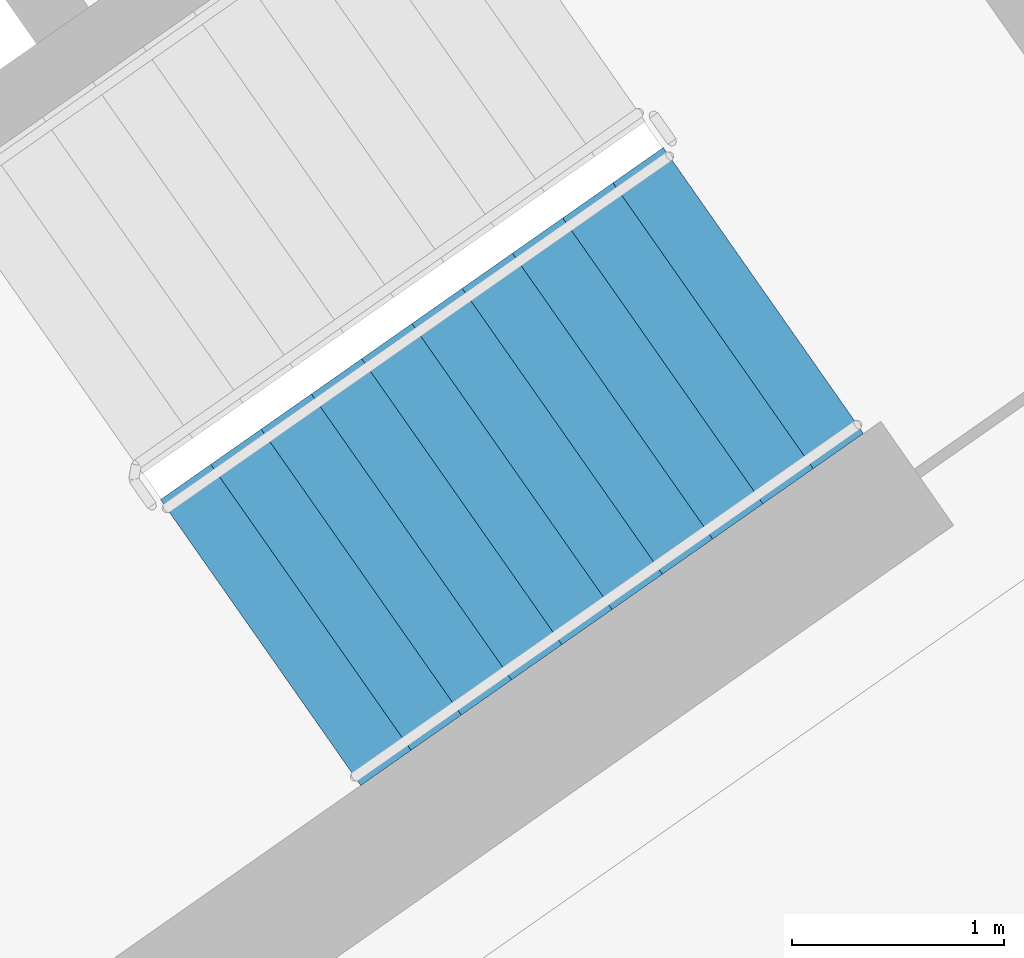
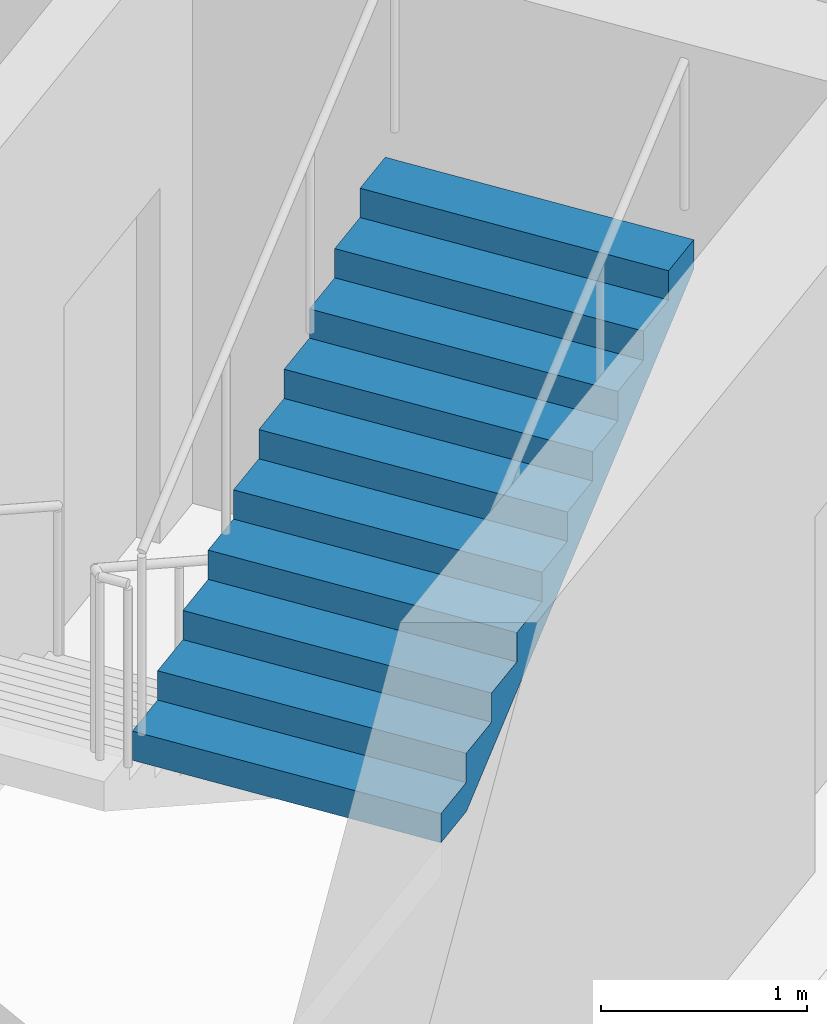
# One storey, part 14 of 28: 1 stair flight, 1 element without a shape of its own.
"""IFC4 building model written with IfcOpenShell, lengths in metres."""

from ifc_helpers import new_model, si_unit, direction, frame, origin, place, context, subcontext, project, spatial, faceted_brep, material, type_object, element, aggregate, save


model = new_model("IFC4")

# Units and contexts
model_context = context("Model", 3, precision=1e-05, world=origin(), true_north=direction((0.0, 1.0)))
body_context = subcontext(model_context, "Body", "Model", "MODEL_VIEW")
ifc_project = project(units=[si_unit("LENGTHUNIT", "METRE"), si_unit("AREAUNIT", "SQUARE_METRE"), si_unit("VOLUMEUNIT", "CUBIC_METRE"), si_unit("PLANEANGLEUNIT", "RADIAN"), si_unit("MASSUNIT", "GRAM", prefix="KILO")], contexts=[model_context])

# Site, building, storey
site_placement = place(None, origin())
site = spatial("IfcSite", under=ifc_project, at=site_placement, CompositionType="ELEMENT")
building_placement = place(site_placement, origin())
building = spatial("IfcBuilding", under=site, at=building_placement, Name="Qamariyya Broadcast Tower", CompositionType="ELEMENT")
storey_placement = place(building_placement, frame((0.0, 0.0, 269.5)))
storey = spatial("IfcBuildingStorey", under=building, at=storey_placement, Name="L65", CompositionType="ELEMENT", Elevation=269.5)

# Stair, stair flight
ifc_material = material(Name="Concrete C50/60", Category="concrete")
stair_type = type_object("IfcStairType", Name="Exit stair 22 risers of 173 mm", PredefinedType="HALF_TURN_STAIR", material=ifc_material)
stair_placement = place(storey_placement, origin())
stair = element("IfcStair", 1, at=stair_placement, inside=storey, type_object=stair_type, Name="L65 Stair E1", PredefinedType="HALF_TURN_STAIR")
stair_flight_type = type_object("IfcStairFlightType", Name="Exit stair flight 11 risers of 173 mm", PredefinedType="STRAIGHT", material=ifc_material)
stair_flight_placement = place(storey_placement, frame((44.693359375, -58.64599609375, 1.89990234375), z_axis=(0.0, 0.0, 1.0), x_axis=(0.819152044289, 0.573576436351, 0.0)))
stair_flight = element("IfcStairFlight", 2, at=stair_flight_placement, type_object=stair_flight_type, Name="ST-E1 flight 2", NumberOfRisers=11, NumberOfTreads=10, PredefinedType="STRAIGHT", RiserHeight=0.172727273, TreadLength=0.29, context=body_context, shape_type="Brep", body=[
    faceted_brep([(0.0, 0.824951171875, 0.0), (0.0, 0.824951171875, 0.172607421875), (0.2900390625, 0.824951171875, 0.172607421875), (0.2900390625, 0.824951171875, 0.345458984375), (0.580078125, 0.824951171875, 0.345458984375), (0.580078125, 0.824951171875, 0.51806640625), (0.8701171875, 0.824951171875, 0.51806640625), (0.8701171875, 0.824951171875, 0.69091796875), (1.159912109375, 0.824951171875, 0.69091796875), (1.159912109375, 0.824951171875, 0.863525390625), (1.449951171875, 0.824951171875, 0.863525390625), (1.449951171875, 0.824951171875, 1.036376953125), (1.739990234375, 0.824951171875, 1.036376953125), (1.739990234375, 0.824951171875, 1.208984375), (2.030029296875, 0.824951171875, 1.208984375), (2.030029296875, 0.824951171875, 1.3818359375), (2.320068359375, 0.824951171875, 1.3818359375), (2.320068359375, 0.824951171875, 1.554443359375), (2.610107421875, 0.824951171875, 1.554443359375), (2.610107421875, 0.824951171875, 1.727294921875), (2.89990234375, 0.824951171875, 1.727294921875), (2.89990234375, 0.824951171875, 1.552734375), (0.29296875, 0.824951171875, 0.0), (0.29296875, -0.824951171875, 0.0), (2.89990234375, -0.824951171875, 1.552734375), (2.89990234375, -0.824951171875, 1.727294921875), (2.610107421875, -0.824951171875, 1.727294921875), (2.610107421875, -0.824951171875, 1.554443359375), (2.320068359375, -0.824951171875, 1.554443359375), (2.320068359375, -0.824951171875, 1.3818359375), (2.030029296875, -0.824951171875, 1.3818359375), (2.030029296875, -0.824951171875, 1.208984375), (1.739990234375, -0.824951171875, 1.208984375), (1.739990234375, -0.824951171875, 1.036376953125), (1.449951171875, -0.824951171875, 1.036376953125), (1.449951171875, -0.824951171875, 0.863525390625), (1.159912109375, -0.824951171875, 0.863525390625), (1.159912109375, -0.824951171875, 0.69091796875), (0.8701171875, -0.824951171875, 0.69091796875), (0.8701171875, -0.824951171875, 0.51806640625), (0.580078125, -0.824951171875, 0.51806640625), (0.580078125, -0.824951171875, 0.345458984375), (0.2900390625, -0.824951171875, 0.345458984375), (0.2900390625, -0.824951171875, 0.172607421875), (0.0, -0.824951171875, 0.172607421875), (0.0, -0.824951171875, 0.0), (0.0, 0.10009765625, 0.0), (0.0, 0.086669921875, 0.0), (0.0, 0.0732421875, 0.0), (0.0, 0.06005859375, 0.0), (0.0, 0.046630859375, 0.0), (0.0, 0.033447265625, 0.0), (0.0, 0.02001953125, 0.0), (0.0, 0.006591796875, 0.0), (0.0, -0.006591796875, 0.0), (0.0, -0.02001953125, 0.0), (0.0, -0.033447265625, 0.0), (0.0, -0.046630859375, 0.0), (0.0, -0.06005859375, 0.0), (0.0, -0.0732421875, 0.0), (0.0, -0.086669921875, 0.0), (0.0, -0.10009765625, 0.0), (0.0, -0.10009765625, 0.172607421875), (0.0, -0.086669921875, 0.172607421875), (0.0, -0.0732421875, 0.172607421875), (0.0, -0.06005859375, 0.172607421875), (0.0, -0.046630859375, 0.172607421875), (0.0, -0.033447265625, 0.172607421875), (0.0, -0.02001953125, 0.172607421875), (0.0, -0.006591796875, 0.172607421875), (0.0, 0.006591796875, 0.172607421875), (0.0, 0.02001953125, 0.172607421875), (0.0, 0.033447265625, 0.172607421875), (0.0, 0.046630859375, 0.172607421875), (0.0, 0.06005859375, 0.172607421875), (0.0, 0.0732421875, 0.172607421875), (0.0, 0.086669921875, 0.172607421875), (0.0, 0.10009765625, 0.172607421875), (0.2900390625, -0.10009765625, 0.172607421875), (0.2900390625, -0.086669921875, 0.172607421875), (0.2900390625, -0.0732421875, 0.172607421875), (0.2900390625, -0.06005859375, 0.172607421875), (0.2900390625, -0.046630859375, 0.172607421875), (0.2900390625, -0.033447265625, 0.172607421875), (0.2900390625, -0.02001953125, 0.172607421875), (0.2900390625, -0.006591796875, 0.172607421875), (0.2900390625, 0.006591796875, 0.172607421875), (0.2900390625, 0.02001953125, 0.172607421875), (0.2900390625, 0.033447265625, 0.172607421875), (0.2900390625, 0.046630859375, 0.172607421875), (0.2900390625, 0.06005859375, 0.172607421875), (0.2900390625, 0.0732421875, 0.172607421875), (0.2900390625, 0.086669921875, 0.172607421875), (0.2900390625, 0.10009765625, 0.172607421875), (0.2900390625, -0.10009765625, 0.345458984375), (0.2900390625, -0.086669921875, 0.345458984375), (0.2900390625, -0.0732421875, 0.345458984375), (0.2900390625, -0.06005859375, 0.345458984375), (0.2900390625, -0.046630859375, 0.345458984375), (0.2900390625, -0.033447265625, 0.345458984375), (0.2900390625, -0.02001953125, 0.345458984375), (0.2900390625, -0.006591796875, 0.345458984375), (0.2900390625, 0.006591796875, 0.345458984375), (0.2900390625, 0.02001953125, 0.345458984375), (0.2900390625, 0.033447265625, 0.345458984375), (0.2900390625, 0.046630859375, 0.345458984375), (0.2900390625, 0.06005859375, 0.345458984375), (0.2900390625, 0.0732421875, 0.345458984375), (0.2900390625, 0.086669921875, 0.345458984375), (0.2900390625, 0.10009765625, 0.345458984375), (0.580078125, -0.10009765625, 0.345458984375), (0.580078125, -0.086669921875, 0.345458984375), (0.580078125, -0.0732421875, 0.345458984375), (0.580078125, -0.06005859375, 0.345458984375), (0.580078125, -0.046630859375, 0.345458984375), (0.580078125, -0.033447265625, 0.345458984375), (0.580078125, -0.02001953125, 0.345458984375), (0.580078125, -0.006591796875, 0.345458984375), (0.580078125, 0.006591796875, 0.345458984375), (0.580078125, 0.02001953125, 0.345458984375), (0.580078125, 0.033447265625, 0.345458984375), (0.580078125, 0.046630859375, 0.345458984375), (0.580078125, 0.06005859375, 0.345458984375), (0.580078125, 0.0732421875, 0.345458984375), (0.580078125, 0.086669921875, 0.345458984375), (0.580078125, 0.10009765625, 0.345458984375), (0.580078125, -0.10009765625, 0.51806640625), (0.580078125, -0.086669921875, 0.51806640625), (0.580078125, -0.0732421875, 0.51806640625), (0.580078125, -0.06005859375, 0.51806640625), (0.580078125, -0.046630859375, 0.51806640625), (0.580078125, -0.033447265625, 0.51806640625), (0.580078125, -0.02001953125, 0.51806640625), (0.580078125, -0.006591796875, 0.51806640625), (0.580078125, 0.006591796875, 0.51806640625), (0.580078125, 0.02001953125, 0.51806640625), (0.580078125, 0.033447265625, 0.51806640625), (0.580078125, 0.046630859375, 0.51806640625), (0.580078125, 0.06005859375, 0.51806640625), (0.580078125, 0.0732421875, 0.51806640625), (0.580078125, 0.086669921875, 0.51806640625), (0.580078125, 0.10009765625, 0.51806640625), (0.8701171875, -0.10009765625, 0.51806640625), (0.8701171875, -0.086669921875, 0.51806640625), (0.8701171875, -0.0732421875, 0.51806640625), (0.8701171875, -0.06005859375, 0.51806640625), (0.8701171875, -0.046630859375, 0.51806640625), (0.8701171875, -0.033447265625, 0.51806640625), (0.8701171875, -0.02001953125, 0.51806640625), (0.8701171875, -0.006591796875, 0.51806640625), (0.8701171875, 0.006591796875, 0.51806640625), (0.8701171875, 0.02001953125, 0.51806640625), (0.8701171875, 0.033447265625, 0.51806640625), (0.8701171875, 0.046630859375, 0.51806640625), (0.8701171875, 0.06005859375, 0.51806640625), (0.8701171875, 0.0732421875, 0.51806640625), (0.8701171875, 0.086669921875, 0.51806640625), (0.8701171875, 0.10009765625, 0.51806640625), (0.8701171875, -0.10009765625, 0.69091796875), (0.8701171875, -0.086669921875, 0.69091796875), (0.8701171875, -0.0732421875, 0.69091796875), (0.8701171875, -0.06005859375, 0.69091796875), (0.8701171875, -0.046630859375, 0.69091796875), (0.8701171875, -0.033447265625, 0.69091796875), (0.8701171875, -0.02001953125, 0.69091796875), (0.8701171875, -0.006591796875, 0.69091796875), (0.8701171875, 0.006591796875, 0.69091796875), (0.8701171875, 0.02001953125, 0.69091796875), (0.8701171875, 0.033447265625, 0.69091796875), (0.8701171875, 0.046630859375, 0.69091796875), (0.8701171875, 0.06005859375, 0.69091796875), (0.8701171875, 0.0732421875, 0.69091796875), (0.8701171875, 0.086669921875, 0.69091796875), (0.8701171875, 0.10009765625, 0.69091796875), (1.159912109375, -0.10009765625, 0.69091796875), (1.159912109375, -0.086669921875, 0.69091796875), (1.159912109375, -0.0732421875, 0.69091796875), (1.159912109375, -0.06005859375, 0.69091796875), (1.159912109375, -0.046630859375, 0.69091796875), (1.159912109375, -0.033447265625, 0.69091796875), (1.159912109375, -0.02001953125, 0.69091796875), (1.159912109375, -0.006591796875, 0.69091796875), (1.159912109375, 0.006591796875, 0.69091796875), (1.159912109375, 0.02001953125, 0.69091796875), (1.159912109375, 0.033447265625, 0.69091796875), (1.159912109375, 0.046630859375, 0.69091796875), (1.159912109375, 0.06005859375, 0.69091796875), (1.159912109375, 0.0732421875, 0.69091796875), (1.159912109375, 0.086669921875, 0.69091796875), (1.159912109375, 0.10009765625, 0.69091796875), (1.159912109375, -0.10009765625, 0.863525390625), (1.159912109375, -0.086669921875, 0.863525390625), (1.159912109375, -0.0732421875, 0.863525390625), (1.159912109375, -0.06005859375, 0.863525390625), (1.159912109375, -0.046630859375, 0.863525390625), (1.159912109375, -0.033447265625, 0.863525390625), (1.159912109375, -0.02001953125, 0.863525390625), (1.159912109375, -0.006591796875, 0.863525390625), (1.159912109375, 0.006591796875, 0.863525390625), (1.159912109375, 0.02001953125, 0.863525390625), (1.159912109375, 0.033447265625, 0.863525390625), (1.159912109375, 0.046630859375, 0.863525390625), (1.159912109375, 0.06005859375, 0.863525390625), (1.159912109375, 0.0732421875, 0.863525390625), (1.159912109375, 0.086669921875, 0.863525390625), (1.159912109375, 0.10009765625, 0.863525390625), (1.449951171875, -0.10009765625, 0.863525390625), (1.449951171875, -0.086669921875, 0.863525390625), (1.449951171875, -0.0732421875, 0.863525390625), (1.449951171875, -0.06005859375, 0.863525390625), (1.449951171875, -0.046630859375, 0.863525390625), (1.449951171875, -0.033447265625, 0.863525390625), (1.449951171875, -0.02001953125, 0.863525390625), (1.449951171875, -0.006591796875, 0.863525390625), (1.449951171875, 0.006591796875, 0.863525390625), (1.449951171875, 0.02001953125, 0.863525390625), (1.449951171875, 0.033447265625, 0.863525390625), (1.449951171875, 0.046630859375, 0.863525390625), (1.449951171875, 0.06005859375, 0.863525390625), (1.449951171875, 0.0732421875, 0.863525390625), (1.449951171875, 0.086669921875, 0.863525390625), (1.449951171875, 0.10009765625, 0.863525390625), (1.449951171875, -0.10009765625, 1.036376953125), (1.449951171875, -0.086669921875, 1.036376953125), (1.449951171875, -0.0732421875, 1.036376953125), (1.449951171875, -0.06005859375, 1.036376953125), (1.449951171875, -0.046630859375, 1.036376953125), (1.449951171875, -0.033447265625, 1.036376953125), (1.449951171875, -0.02001953125, 1.036376953125), (1.449951171875, -0.006591796875, 1.036376953125), (1.449951171875, 0.006591796875, 1.036376953125), (1.449951171875, 0.02001953125, 1.036376953125), (1.449951171875, 0.033447265625, 1.036376953125), (1.449951171875, 0.046630859375, 1.036376953125), (1.449951171875, 0.06005859375, 1.036376953125), (1.449951171875, 0.0732421875, 1.036376953125), (1.449951171875, 0.086669921875, 1.036376953125), (1.449951171875, 0.10009765625, 1.036376953125), (1.739990234375, -0.10009765625, 1.036376953125), (1.739990234375, -0.086669921875, 1.036376953125), (1.739990234375, -0.0732421875, 1.036376953125), (1.739990234375, -0.06005859375, 1.036376953125), (1.739990234375, -0.046630859375, 1.036376953125), (1.739990234375, -0.033447265625, 1.036376953125), (1.739990234375, -0.02001953125, 1.036376953125), (1.739990234375, -0.006591796875, 1.036376953125), (1.739990234375, 0.006591796875, 1.036376953125), (1.739990234375, 0.02001953125, 1.036376953125), (1.739990234375, 0.033447265625, 1.036376953125), (1.739990234375, 0.046630859375, 1.036376953125), (1.739990234375, 0.06005859375, 1.036376953125), (1.739990234375, 0.0732421875, 1.036376953125), (1.739990234375, 0.086669921875, 1.036376953125), (1.739990234375, 0.10009765625, 1.036376953125), (1.739990234375, -0.10009765625, 1.208984375), (1.739990234375, -0.086669921875, 1.208984375), (1.739990234375, -0.0732421875, 1.208984375), (1.739990234375, -0.06005859375, 1.208984375), (1.739990234375, -0.046630859375, 1.208984375), (1.739990234375, -0.033447265625, 1.208984375), (1.739990234375, -0.02001953125, 1.208984375), (1.739990234375, -0.006591796875, 1.208984375), (1.739990234375, 0.006591796875, 1.208984375), (1.739990234375, 0.02001953125, 1.208984375), (1.739990234375, 0.033447265625, 1.208984375), (1.739990234375, 0.046630859375, 1.208984375), (1.739990234375, 0.06005859375, 1.208984375), (1.739990234375, 0.0732421875, 1.208984375), (1.739990234375, 0.086669921875, 1.208984375), (1.739990234375, 0.10009765625, 1.208984375), (2.030029296875, -0.10009765625, 1.208984375), (2.030029296875, -0.086669921875, 1.208984375), (2.030029296875, -0.0732421875, 1.208984375), (2.030029296875, -0.06005859375, 1.208984375), (2.030029296875, -0.046630859375, 1.208984375), (2.030029296875, -0.033447265625, 1.208984375), (2.030029296875, -0.02001953125, 1.208984375), (2.030029296875, -0.006591796875, 1.208984375), (2.030029296875, 0.006591796875, 1.208984375), (2.030029296875, 0.02001953125, 1.208984375), (2.030029296875, 0.033447265625, 1.208984375), (2.030029296875, 0.046630859375, 1.208984375), (2.030029296875, 0.06005859375, 1.208984375), (2.030029296875, 0.0732421875, 1.208984375), (2.030029296875, 0.086669921875, 1.208984375), (2.030029296875, 0.10009765625, 1.208984375), (2.030029296875, -0.10009765625, 1.3818359375), (2.030029296875, -0.086669921875, 1.3818359375), (2.030029296875, -0.0732421875, 1.3818359375), (2.030029296875, -0.06005859375, 1.3818359375), (2.030029296875, -0.046630859375, 1.3818359375), (2.030029296875, -0.033447265625, 1.3818359375), (2.030029296875, -0.02001953125, 1.3818359375), (2.030029296875, -0.006591796875, 1.3818359375), (2.030029296875, 0.006591796875, 1.3818359375), (2.030029296875, 0.02001953125, 1.3818359375), (2.030029296875, 0.033447265625, 1.3818359375), (2.030029296875, 0.046630859375, 1.3818359375), (2.030029296875, 0.06005859375, 1.3818359375), (2.030029296875, 0.0732421875, 1.3818359375), (2.030029296875, 0.086669921875, 1.3818359375), (2.030029296875, 0.10009765625, 1.3818359375), (2.320068359375, -0.10009765625, 1.3818359375), (2.320068359375, -0.086669921875, 1.3818359375), (2.320068359375, -0.0732421875, 1.3818359375), (2.320068359375, -0.06005859375, 1.3818359375), (2.320068359375, -0.046630859375, 1.3818359375), (2.320068359375, -0.033447265625, 1.3818359375), (2.320068359375, -0.02001953125, 1.3818359375), (2.320068359375, -0.006591796875, 1.3818359375), (2.320068359375, 0.006591796875, 1.3818359375), (2.320068359375, 0.02001953125, 1.3818359375), (2.320068359375, 0.033447265625, 1.3818359375), (2.320068359375, 0.046630859375, 1.3818359375), (2.320068359375, 0.06005859375, 1.3818359375), (2.320068359375, 0.0732421875, 1.3818359375), (2.320068359375, 0.086669921875, 1.3818359375), (2.320068359375, 0.10009765625, 1.3818359375), (2.320068359375, -0.10009765625, 1.554443359375), (2.320068359375, -0.086669921875, 1.554443359375), (2.320068359375, -0.0732421875, 1.554443359375), (2.320068359375, -0.06005859375, 1.554443359375), (2.320068359375, -0.046630859375, 1.554443359375), (2.320068359375, -0.033447265625, 1.554443359375), (2.320068359375, -0.02001953125, 1.554443359375), (2.320068359375, -0.006591796875, 1.554443359375), (2.320068359375, 0.006591796875, 1.554443359375), (2.320068359375, 0.02001953125, 1.554443359375), (2.320068359375, 0.033447265625, 1.554443359375), (2.320068359375, 0.046630859375, 1.554443359375), (2.320068359375, 0.06005859375, 1.554443359375), (2.320068359375, 0.0732421875, 1.554443359375), (2.320068359375, 0.086669921875, 1.554443359375), (2.320068359375, 0.10009765625, 1.554443359375), (2.610107421875, -0.10009765625, 1.554443359375), (2.610107421875, -0.086669921875, 1.554443359375), (2.610107421875, -0.0732421875, 1.554443359375), (2.610107421875, -0.06005859375, 1.554443359375), (2.610107421875, -0.046630859375, 1.554443359375), (2.610107421875, -0.033447265625, 1.554443359375), (2.610107421875, -0.02001953125, 1.554443359375), (2.610107421875, -0.006591796875, 1.554443359375), (2.610107421875, 0.006591796875, 1.554443359375), (2.610107421875, 0.02001953125, 1.554443359375), (2.610107421875, 0.033447265625, 1.554443359375), (2.610107421875, 0.046630859375, 1.554443359375), (2.610107421875, 0.06005859375, 1.554443359375), (2.610107421875, 0.0732421875, 1.554443359375), (2.610107421875, 0.086669921875, 1.554443359375), (2.610107421875, 0.10009765625, 1.554443359375), (2.610107421875, -0.10009765625, 1.727294921875), (2.610107421875, -0.086669921875, 1.727294921875), (2.610107421875, -0.0732421875, 1.727294921875), (2.610107421875, -0.06005859375, 1.727294921875), (2.610107421875, -0.046630859375, 1.727294921875), (2.610107421875, -0.033447265625, 1.727294921875), (2.610107421875, -0.02001953125, 1.727294921875), (2.610107421875, -0.006591796875, 1.727294921875), (2.610107421875, 0.006591796875, 1.727294921875), (2.610107421875, 0.02001953125, 1.727294921875), (2.610107421875, 0.033447265625, 1.727294921875), (2.610107421875, 0.046630859375, 1.727294921875), (2.610107421875, 0.06005859375, 1.727294921875), (2.610107421875, 0.0732421875, 1.727294921875), (2.610107421875, 0.086669921875, 1.727294921875), (2.610107421875, 0.10009765625, 1.727294921875), (2.89990234375, -0.10009765625, 1.727294921875), (2.89990234375, -0.086669921875, 1.727294921875), (2.89990234375, -0.0732421875, 1.727294921875), (2.89990234375, -0.06005859375, 1.727294921875), (2.89990234375, -0.046630859375, 1.727294921875), (2.89990234375, -0.033447265625, 1.727294921875), (2.89990234375, -0.02001953125, 1.727294921875), (2.89990234375, -0.006591796875, 1.727294921875), (2.89990234375, 0.006591796875, 1.727294921875), (2.89990234375, 0.02001953125, 1.727294921875), (2.89990234375, 0.033447265625, 1.727294921875), (2.89990234375, 0.046630859375, 1.727294921875), (2.89990234375, 0.06005859375, 1.727294921875), (2.89990234375, 0.0732421875, 1.727294921875), (2.89990234375, 0.086669921875, 1.727294921875), (2.89990234375, 0.10009765625, 1.727294921875), (2.89990234375, -0.10009765625, 1.552734375), (2.89990234375, -0.086669921875, 1.552734375), (2.89990234375, -0.0732421875, 1.552734375), (2.89990234375, -0.06005859375, 1.552734375), (2.89990234375, -0.046630859375, 1.552734375), (2.89990234375, -0.033447265625, 1.552734375), (2.89990234375, -0.02001953125, 1.552734375), (2.89990234375, -0.006591796875, 1.552734375), (2.89990234375, 0.006591796875, 1.552734375), (2.89990234375, 0.02001953125, 1.552734375), (2.89990234375, 0.033447265625, 1.552734375), (2.89990234375, 0.046630859375, 1.552734375), (2.89990234375, 0.06005859375, 1.552734375), (2.89990234375, 0.0732421875, 1.552734375), (2.89990234375, 0.086669921875, 1.552734375), (2.89990234375, 0.10009765625, 1.552734375), (0.29296875, -0.10009765625, 0.0), (0.29296875, -0.086669921875, 0.0), (0.29296875, -0.0732421875, 0.0), (0.29296875, -0.06005859375, 0.0), (0.29296875, -0.046630859375, 0.0), (0.29296875, -0.033447265625, 0.0), (0.29296875, -0.02001953125, 0.0), (0.29296875, -0.006591796875, 0.0), (0.29296875, 0.006591796875, 0.0), (0.29296875, 0.02001953125, 0.0), (0.29296875, 0.033447265625, 0.0), (0.29296875, 0.046630859375, 0.0), (0.29296875, 0.06005859375, 0.0), (0.29296875, 0.0732421875, 0.0), (0.29296875, 0.086669921875, 0.0), (0.29296875, 0.10009765625, 0.0)], [[[0, 1, 2, 3, 4, 5, 6, 7, 8, 9, 10, 11, 12, 13, 14, 15, 16, 17, 18, 19, 20, 21, 22]], [[23, 24, 25, 26, 27, 28, 29, 30, 31, 32, 33, 34, 35, 36, 37, 38, 39, 40, 41, 42, 43, 44, 45]], [[0, 46, 47, 48, 49, 50, 51, 52, 53, 54, 55, 56, 57, 58, 59, 60, 61, 45, 44, 62, 63, 64, 65, 66, 67, 68, 69, 70, 71, 72, 73, 74, 75, 76, 77, 1]], [[1, 77, 76, 75, 74, 73, 72, 71, 70, 69, 68, 67, 66, 65, 64, 63, 62, 44, 43, 78, 79, 80, 81, 82, 83, 84, 85, 86, 87, 88, 89, 90, 91, 92, 93, 2]], [[2, 93, 92, 91, 90, 89, 88, 87, 86, 85, 84, 83, 82, 81, 80, 79, 78, 43, 42, 94, 95, 96, 97, 98, 99, 100, 101, 102, 103, 104, 105, 106, 107, 108, 109, 3]], [[3, 109, 108, 107, 106, 105, 104, 103, 102, 101, 100, 99, 98, 97, 96, 95, 94, 42, 41, 110, 111, 112, 113, 114, 115, 116, 117, 118, 119, 120, 121, 122, 123, 124, 125, 4]], [[4, 125, 124, 123, 122, 121, 120, 119, 118, 117, 116, 115, 114, 113, 112, 111, 110, 41, 40, 126, 127, 128, 129, 130, 131, 132, 133, 134, 135, 136, 137, 138, 139, 140, 141, 5]], [[5, 141, 140, 139, 138, 137, 136, 135, 134, 133, 132, 131, 130, 129, 128, 127, 126, 40, 39, 142, 143, 144, 145, 146, 147, 148, 149, 150, 151, 152, 153, 154, 155, 156, 157, 6]], [[6, 157, 156, 155, 154, 153, 152, 151, 150, 149, 148, 147, 146, 145, 144, 143, 142, 39, 38, 158, 159, 160, 161, 162, 163, 164, 165, 166, 167, 168, 169, 170, 171, 172, 173, 7]], [[7, 173, 172, 171, 170, 169, 168, 167, 166, 165, 164, 163, 162, 161, 160, 159, 158, 38, 37, 174, 175, 176, 177, 178, 179, 180, 181, 182, 183, 184, 185, 186, 187, 188, 189, 8]], [[8, 189, 188, 187, 186, 185, 184, 183, 182, 181, 180, 179, 178, 177, 176, 175, 174, 37, 36, 190, 191, 192, 193, 194, 195, 196, 197, 198, 199, 200, 201, 202, 203, 204, 205, 9]], [[9, 205, 204, 203, 202, 201, 200, 199, 198, 197, 196, 195, 194, 193, 192, 191, 190, 36, 35, 206, 207, 208, 209, 210, 211, 212, 213, 214, 215, 216, 217, 218, 219, 220, 221, 10]], [[10, 221, 220, 219, 218, 217, 216, 215, 214, 213, 212, 211, 210, 209, 208, 207, 206, 35, 34, 222, 223, 224, 225, 226, 227, 228, 229, 230, 231, 232, 233, 234, 235, 236, 237, 11]], [[11, 237, 236, 235, 234, 233, 232, 231, 230, 229, 228, 227, 226, 225, 224, 223, 222, 34, 33, 238, 239, 240, 241, 242, 243, 244, 245, 246, 247, 248, 249, 250, 251, 252, 253, 12]], [[12, 253, 252, 251, 250, 249, 248, 247, 246, 245, 244, 243, 242, 241, 240, 239, 238, 33, 32, 254, 255, 256, 257, 258, 259, 260, 261, 262, 263, 264, 265, 266, 267, 268, 269, 13]], [[13, 269, 268, 267, 266, 265, 264, 263, 262, 261, 260, 259, 258, 257, 256, 255, 254, 32, 31, 270, 271, 272, 273, 274, 275, 276, 277, 278, 279, 280, 281, 282, 283, 284, 285, 14]], [[14, 285, 284, 283, 282, 281, 280, 279, 278, 277, 276, 275, 274, 273, 272, 271, 270, 31, 30, 286, 287, 288, 289, 290, 291, 292, 293, 294, 295, 296, 297, 298, 299, 300, 301, 15]], [[15, 301, 300, 299, 298, 297, 296, 295, 294, 293, 292, 291, 290, 289, 288, 287, 286, 30, 29, 302, 303, 304, 305, 306, 307, 308, 309, 310, 311, 312, 313, 314, 315, 316, 317, 16]], [[16, 317, 316, 315, 314, 313, 312, 311, 310, 309, 308, 307, 306, 305, 304, 303, 302, 29, 28, 318, 319, 320, 321, 322, 323, 324, 325, 326, 327, 328, 329, 330, 331, 332, 333, 17]], [[17, 333, 332, 331, 330, 329, 328, 327, 326, 325, 324, 323, 322, 321, 320, 319, 318, 28, 27, 334, 335, 336, 337, 338, 339, 340, 341, 342, 343, 344, 345, 346, 347, 348, 349, 18]], [[18, 349, 348, 347, 346, 345, 344, 343, 342, 341, 340, 339, 338, 337, 336, 335, 334, 27, 26, 350, 351, 352, 353, 354, 355, 356, 357, 358, 359, 360, 361, 362, 363, 364, 365, 19]], [[19, 365, 364, 363, 362, 361, 360, 359, 358, 357, 356, 355, 354, 353, 352, 351, 350, 26, 25, 366, 367, 368, 369, 370, 371, 372, 373, 374, 375, 376, 377, 378, 379, 380, 381, 20]], [[20, 381, 380, 379, 378, 377, 376, 375, 374, 373, 372, 371, 370, 369, 368, 367, 366, 25, 24, 382, 383, 384, 385, 386, 387, 388, 389, 390, 391, 392, 393, 394, 395, 396, 397, 21]], [[21, 397, 396, 395, 394, 393, 392, 391, 390, 389, 388, 387, 386, 385, 384, 383, 382, 24, 23, 398, 399, 400, 401, 402, 403, 404, 405, 406, 407, 408, 409, 410, 411, 412, 413, 22]], [[22, 413, 412, 411, 410, 409, 408, 407, 406, 405, 404, 403, 402, 401, 400, 399, 398, 23, 45, 61, 60, 59, 58, 57, 56, 55, 54, 53, 52, 51, 50, 49, 48, 47, 46, 0]]]),
])
aggregate(stair, [stair_flight])

save(model, "model.ifc")
